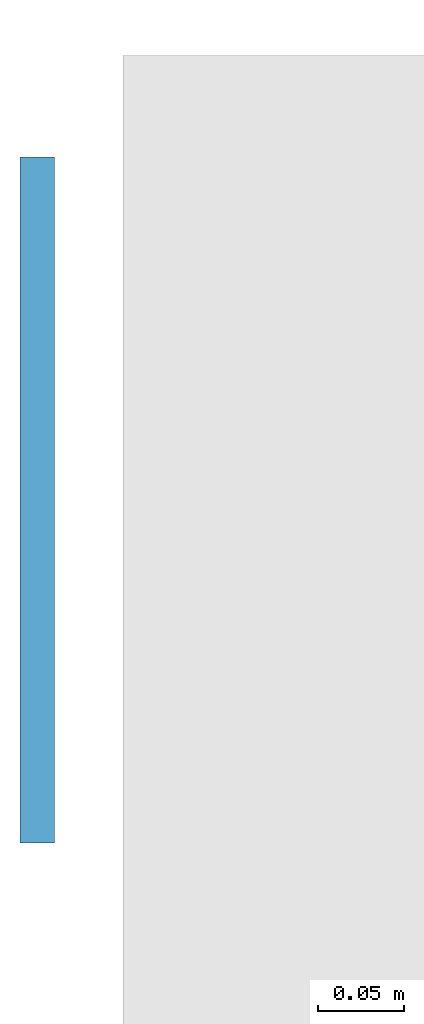
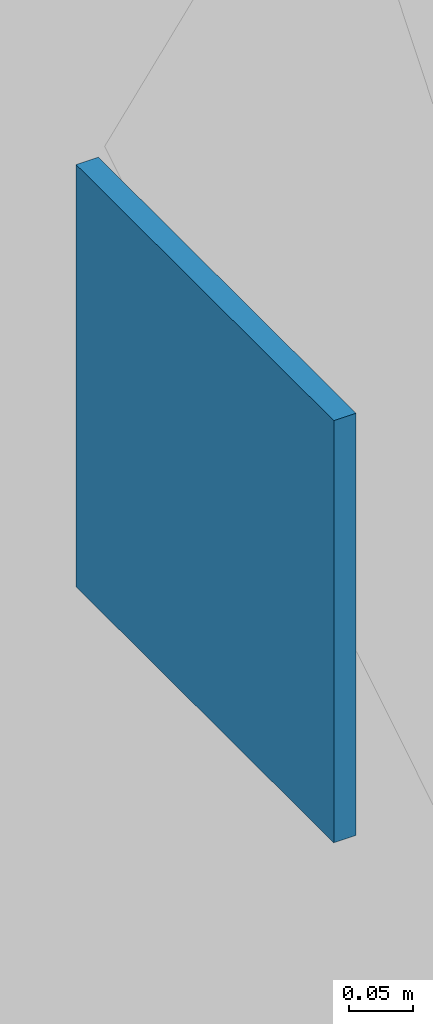
# One storey, part 8 of 15: 1 discrete accessory.
"""IFC4 building model written with IfcOpenShell, lengths in metres."""

from ifc_helpers import new_model, si_unit, direction, frame, origin, origin_2d, place, context, subcontext, project, spatial, rectangle, extrude, material, material_profile, profile_set, type_object, element, save


model = new_model("IFC4")

# Units and contexts
model_context = context("Model", 3, precision=1e-05, world=origin(), true_north=direction((0.0, 1.0)))
body_context = subcontext(model_context, "Body", "Model", "MODEL_VIEW")
ifc_project = project(units=[si_unit("LENGTHUNIT", "METRE"), si_unit("AREAUNIT", "SQUARE_METRE"), si_unit("VOLUMEUNIT", "CUBIC_METRE"), si_unit("PLANEANGLEUNIT", "RADIAN"), si_unit("MASSUNIT", "GRAM", prefix="KILO")], contexts=[model_context])

# Site, building, storey
site_placement = place(None, origin())
site = spatial("IfcSite", under=ifc_project, at=site_placement, CompositionType="ELEMENT")
building_placement = place(site_placement, origin())
building = spatial("IfcBuilding", under=site, at=building_placement, Name="Cypress Arch Tower", CompositionType="ELEMENT")
storey_placement = place(building_placement, frame((0.0, 0.0, 259.800048828125)))
storey = spatial("IfcBuildingStorey", under=building, at=storey_placement, Name="L58", CompositionType="ELEMENT", Elevation=259.800048828125)

# Discrete accessory
ifc_material = material(Name="Steel ASTM A992", Category="steel")
ifc_material_profile = material_profile(ifc_material, rectangle(XDim=0.39990234375, YDim=0.39990234375, at=origin_2d()), Name="PL 20 400x400")
ifc_profile_set = profile_set([ifc_material_profile], Name="Steel ASTM A992")
discrete_accessory_type = type_object("IfcDiscreteAccessoryType", Name="West bracing diagonal end plate 400x400x20 Steel ASTM A992", PredefinedType="ANCHORPLATE", material=ifc_profile_set)
discrete_accessory_placement = place(storey_placement, frame((-31.099609375, -0.259033203125, 4.06884765625), z_axis=(-1.0, 0.0, 0.0), x_axis=(0.0, -1.0, 0.0)))
element("IfcDiscreteAccessory", 1, at=discrete_accessory_placement, inside=storey, type_object=discrete_accessory_type, Name="End plate west bracing diagonal 5B", PredefinedType="ANCHORPLATE", context=body_context, shape_type="SweptSolid", body=[
    extrude(rectangle(XDim=0.39990234375, YDim=0.39990234375, at=origin_2d()), origin(), (0.0, 0.0, 1.0), 0.02001953125),
])

save(model, "model.ifc")
